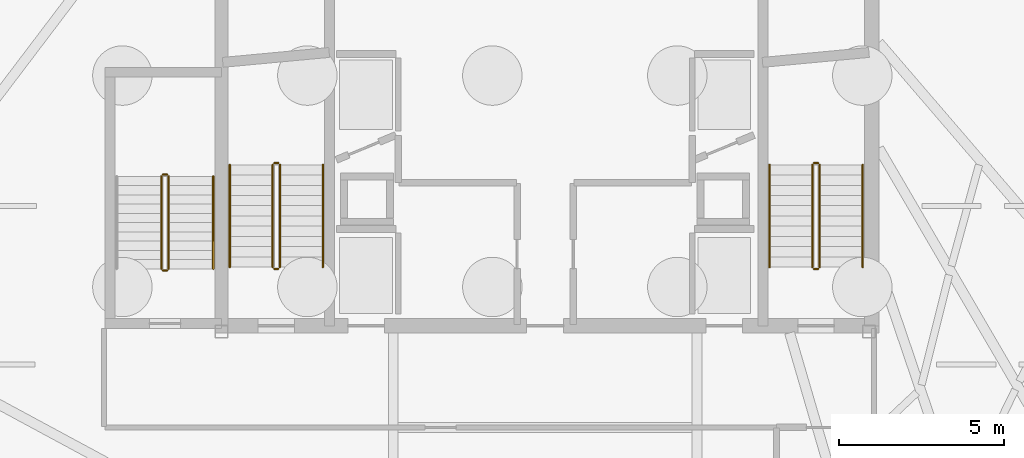
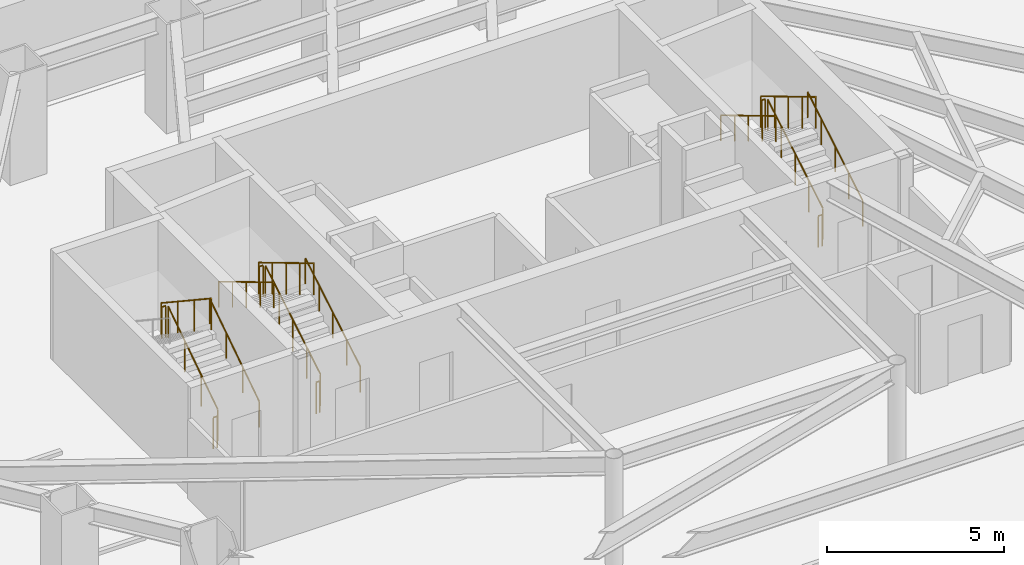
# One storey, part 17 of 19: 17 railings.
"""IFC4 building model written with IfcOpenShell, lengths in metres."""

from ifc_helpers import new_model, si_unit, direction, frame, origin, origin_2d, place, context, subcontext, project, spatial, circle, extrude, material, type_object, element, save


model = new_model("IFC4")

# Units and contexts
model_context = context("Model", 3, precision=1e-05, world=origin(), true_north=direction((0.0, 1.0)))
body_context = subcontext(model_context, "Body", "Model", "MODEL_VIEW")
ifc_project = project(units=[si_unit("LENGTHUNIT", "METRE"), si_unit("AREAUNIT", "SQUARE_METRE"), si_unit("VOLUMEUNIT", "CUBIC_METRE"), si_unit("PLANEANGLEUNIT", "RADIAN"), si_unit("MASSUNIT", "GRAM", prefix="KILO")], contexts=[model_context])

# Site, building, storey
site_placement = place(None, origin())
site = spatial("IfcSite", under=ifc_project, at=site_placement, CompositionType="ELEMENT")
building_placement = place(site_placement, origin())
building = spatial("IfcBuilding", under=site, at=building_placement, Name="Zarrinselat Tower", CompositionType="ELEMENT")
storey_placement = place(building_placement, frame((0.0, 0.0, -8.159912109375)))
storey = spatial("IfcBuildingStorey", under=building, at=storey_placement, Name="B02", CompositionType="ELEMENT", Elevation=-8.159912109375)

# Railings
ifc_material_1 = material(Name="Steel S355J2", Category="steel")
railing_type_1 = type_object("IfcRailingType", Name="RLG-STAIR-GUARD", PredefinedType="GUARDRAIL", material=ifc_material_1)
railing_1_placement = place(storey_placement, frame((30.3701171875, 35.0, 0.185302734375)))
element("IfcRailing", 1, at=railing_1_placement, inside=storey, type_object=railing_type_1, Name="B02 ST-1 stair guard 1", PredefinedType="GUARDRAIL", context=body_context, shape_type="SweptSolid", body=[
    extrude(circle(Radius=0.02392578125, at=origin_2d()), frame((0.0, 0.0, 1.076171875), z_axis=(0.0, 0.858171985069, 0.513362293163), x_axis=(-1.0, 0.0, 0.0)), (0.0, 0.0, 1.0), 3.612548828125),
    extrude(circle(Radius=0.02099609375, at=origin_2d()), origin(), (0.0, 0.0, 1.0), 1.050048828125),
    extrude(circle(Radius=0.02099609375, at=origin_2d()), frame((0.0, 0.77490234375, 0.463623046875)), (0.0, 0.0, 1.0), 1.050048828125),
    extrude(circle(Radius=0.02099609375, at=origin_2d()), frame((0.0, 1.550048828125, 0.92724609375)), (0.0, 0.0, 1.0), 1.050048828125),
    extrude(circle(Radius=0.02099609375, at=origin_2d()), frame((0.0, 2.3251953125, 1.390869140625)), (0.0, 0.0, 1.0), 1.050048828125),
    extrude(circle(Radius=0.02099609375, at=origin_2d()), frame((0.0, 3.10009765625, 1.8544921875)), (0.0, 0.0, 1.0), 1.050048828125),
])
railing_2_placement = place(storey_placement, frame((30.320068359375, 38.14990234375, 2.039794921875)))
element("IfcRailing", 2, at=railing_2_placement, inside=storey, type_object=railing_type_1, Name="B02 ST-1 stair guard 2", PredefinedType="GUARDRAIL", context=body_context, shape_type="SweptSolid", body=[
    extrude(circle(Radius=0.02392578125, at=origin_2d()), frame((0.0, 0.0, 1.076171875), z_axis=(-1.0, 0.0, 0.0), x_axis=(0.0, -1.0, 0.0)), (0.0, 0.0, 1.0), 0.1201171875),
    extrude(circle(Radius=0.02099609375, at=origin_2d()), origin(), (0.0, 0.0, 1.0), 1.050048828125),
    extrude(circle(Radius=0.02099609375, at=origin_2d()), frame((-0.1201171875, 0.0, 0.0)), (0.0, 0.0, 1.0), 1.050048828125),
])
railing_3_placement = place(storey_placement, frame((30.14990234375, 38.10009765625, 2.225341796875)))
element("IfcRailing", 3, at=railing_3_placement, inside=storey, type_object=railing_type_1, Name="B02 ST-1 stair guard 3", PredefinedType="GUARDRAIL", context=body_context, shape_type="SweptSolid", body=[
    extrude(circle(Radius=0.02392578125, at=origin_2d()), frame((0.0, 0.0, 1.076171875), z_axis=(0.0, -0.858171985069, 0.513362293163), x_axis=(1.0, 0.0, 0.0)), (0.0, 0.0, 1.0), 3.612548828125),
    extrude(circle(Radius=0.02099609375, at=origin_2d()), origin(), (0.0, 0.0, 1.0), 1.050048828125),
    extrude(circle(Radius=0.02099609375, at=origin_2d()), frame((0.0, -0.77490234375, 0.463623046875)), (0.0, 0.0, 1.0), 1.050048828125),
    extrude(circle(Radius=0.02099609375, at=origin_2d()), frame((0.0, -1.550048828125, 0.92724609375)), (0.0, 0.0, 1.0), 1.050048828125),
    extrude(circle(Radius=0.02099609375, at=origin_2d()), frame((0.0, -2.3251953125, 1.390869140625)), (0.0, 0.0, 1.0), 1.050048828125),
    extrude(circle(Radius=0.02099609375, at=origin_2d()), frame((0.0, -3.10009765625, 1.8544921875)), (0.0, 0.0, 1.0), 1.050048828125),
])
railing_4_placement = place(storey_placement, frame((30.320068359375, 34.949951171875, 0.0)))
element("IfcRailing", 4, at=railing_4_placement, inside=storey, type_object=railing_type_1, Name="B02 ST-1 stair guard 4", PredefinedType="GUARDRAIL", context=body_context, shape_type="SweptSolid", body=[
    extrude(circle(Radius=0.02392578125, at=origin_2d()), frame((0.0, 0.0, 1.076171875), z_axis=(-1.0, 0.0, 0.0), x_axis=(0.0, -1.0, 0.0)), (0.0, 0.0, 1.0), 0.1201171875),
    extrude(circle(Radius=0.02099609375, at=origin_2d()), origin(), (0.0, 0.0, 1.0), 1.050048828125),
    extrude(circle(Radius=0.02099609375, at=origin_2d()), frame((-0.1201171875, 0.0, 0.0)), (0.0, 0.0, 1.0), 1.050048828125),
])
railing_5_placement = place(storey_placement, frame((46.7099609375, 35.0, 0.185302734375)))
element("IfcRailing", 5, at=railing_5_placement, inside=storey, type_object=railing_type_1, Name="B02 ST-2 stair guard 1", PredefinedType="GUARDRAIL", context=body_context, shape_type="SweptSolid", body=[
    extrude(circle(Radius=0.02392578125, at=origin_2d()), frame((0.0, 0.0, 1.076171875), z_axis=(0.0, 0.858171985069, 0.513362293163), x_axis=(-1.0, 0.0, 0.0)), (0.0, 0.0, 1.0), 3.612548828125),
    extrude(circle(Radius=0.02099609375, at=origin_2d()), origin(), (0.0, 0.0, 1.0), 1.050048828125),
    extrude(circle(Radius=0.02099609375, at=origin_2d()), frame((0.0, 0.77490234375, 0.463623046875)), (0.0, 0.0, 1.0), 1.050048828125),
    extrude(circle(Radius=0.02099609375, at=origin_2d()), frame((0.0, 1.550048828125, 0.92724609375)), (0.0, 0.0, 1.0), 1.050048828125),
    extrude(circle(Radius=0.02099609375, at=origin_2d()), frame((0.0, 2.3251953125, 1.390869140625)), (0.0, 0.0, 1.0), 1.050048828125),
    extrude(circle(Radius=0.02099609375, at=origin_2d()), frame((0.0, 3.10009765625, 1.8544921875)), (0.0, 0.0, 1.0), 1.050048828125),
])
railing_6_placement = place(storey_placement, frame((46.659912109375, 38.14990234375, 2.039794921875)))
element("IfcRailing", 6, at=railing_6_placement, inside=storey, type_object=railing_type_1, Name="B02 ST-2 stair guard 2", PredefinedType="GUARDRAIL", context=body_context, shape_type="SweptSolid", body=[
    extrude(circle(Radius=0.02392578125, at=origin_2d()), frame((0.0, 0.0, 1.076171875), z_axis=(-1.0, 0.0, 0.0), x_axis=(0.0, -1.0, 0.0)), (0.0, 0.0, 1.0), 0.119873046875),
    extrude(circle(Radius=0.02099609375, at=origin_2d()), origin(), (0.0, 0.0, 1.0), 1.050048828125),
    extrude(circle(Radius=0.02099609375, at=origin_2d()), frame((-0.119873046875, 0.0, 0.0)), (0.0, 0.0, 1.0), 1.050048828125),
])
railing_7_placement = place(storey_placement, frame((46.489990234375, 38.10009765625, 2.225341796875)))
element("IfcRailing", 7, at=railing_7_placement, inside=storey, type_object=railing_type_1, Name="B02 ST-2 stair guard 3", PredefinedType="GUARDRAIL", context=body_context, shape_type="SweptSolid", body=[
    extrude(circle(Radius=0.02392578125, at=origin_2d()), frame((0.0, 0.0, 1.076171875), z_axis=(0.0, -0.858171985069, 0.513362293163), x_axis=(1.0, 0.0, 0.0)), (0.0, 0.0, 1.0), 3.612548828125),
    extrude(circle(Radius=0.02099609375, at=origin_2d()), origin(), (0.0, 0.0, 1.0), 1.050048828125),
    extrude(circle(Radius=0.02099609375, at=origin_2d()), frame((0.0, -0.77490234375, 0.463623046875)), (0.0, 0.0, 1.0), 1.050048828125),
    extrude(circle(Radius=0.02099609375, at=origin_2d()), frame((0.0, -1.550048828125, 0.92724609375)), (0.0, 0.0, 1.0), 1.050048828125),
    extrude(circle(Radius=0.02099609375, at=origin_2d()), frame((0.0, -2.3251953125, 1.390869140625)), (0.0, 0.0, 1.0), 1.050048828125),
    extrude(circle(Radius=0.02099609375, at=origin_2d()), frame((0.0, -3.10009765625, 1.8544921875)), (0.0, 0.0, 1.0), 1.050048828125),
])
railing_8_placement = place(storey_placement, frame((46.659912109375, 34.949951171875, 0.0)))
element("IfcRailing", 8, at=railing_8_placement, inside=storey, type_object=railing_type_1, Name="B02 ST-2 stair guard 4", PredefinedType="GUARDRAIL", context=body_context, shape_type="SweptSolid", body=[
    extrude(circle(Radius=0.02392578125, at=origin_2d()), frame((0.0, 0.0, 1.076171875), z_axis=(-1.0, 0.0, 0.0), x_axis=(0.0, -1.0, 0.0)), (0.0, 0.0, 1.0), 0.119873046875),
    extrude(circle(Radius=0.02099609375, at=origin_2d()), origin(), (0.0, 0.0, 1.0), 1.050048828125),
    extrude(circle(Radius=0.02099609375, at=origin_2d()), frame((-0.119873046875, 0.0, 0.0)), (0.0, 0.0, 1.0), 1.050048828125),
])
railing_9_placement = place(storey_placement, frame((27.0, 34.949951171875, 0.185302734375)))
element("IfcRailing", 9, at=railing_9_placement, inside=storey, type_object=railing_type_1, Name="B02 ST-3 stair guard 1", PredefinedType="GUARDRAIL", context=body_context, shape_type="SweptSolid", body=[
    extrude(circle(Radius=0.02392578125, at=origin_2d()), frame((0.0, 0.0, 1.076171875), z_axis=(0.0, 0.833724036255, 0.552181339209), x_axis=(-1.0, 0.0, 0.0)), (0.0, 0.0, 1.0), 3.3583984375),
    extrude(circle(Radius=0.02099609375, at=origin_2d()), origin(), (0.0, 0.0, 1.0), 1.050048828125),
    extrude(circle(Radius=0.02099609375, at=origin_2d()), frame((0.0, 0.933349609375, 0.6181640625)), (0.0, 0.0, 1.0), 1.050048828125),
    extrude(circle(Radius=0.02099609375, at=origin_2d()), frame((0.0, 1.86669921875, 1.236328125)), (0.0, 0.0, 1.0), 1.050048828125),
    extrude(circle(Radius=0.02099609375, at=origin_2d()), frame((0.0, 2.800048828125, 1.8544921875)), (0.0, 0.0, 1.0), 1.050048828125),
])
railing_10_placement = place(storey_placement, frame((26.949951171875, 37.800048828125, 2.039794921875)))
element("IfcRailing", 10, at=railing_10_placement, inside=storey, type_object=railing_type_1, Name="B02 ST-3 stair guard 2", PredefinedType="GUARDRAIL", context=body_context, shape_type="SweptSolid", body=[
    extrude(circle(Radius=0.02392578125, at=origin_2d()), frame((0.0, 0.0, 1.076171875), z_axis=(-1.0, 0.0, 0.0), x_axis=(0.0, -1.0, 0.0)), (0.0, 0.0, 1.0), 0.119873046875),
    extrude(circle(Radius=0.02099609375, at=origin_2d()), origin(), (0.0, 0.0, 1.0), 1.050048828125),
    extrude(circle(Radius=0.02099609375, at=origin_2d()), frame((-0.119873046875, 0.0, 0.0)), (0.0, 0.0, 1.0), 1.050048828125),
])
railing_11_placement = place(storey_placement, frame((26.780029296875, 37.75, 2.225341796875)))
element("IfcRailing", 11, at=railing_11_placement, inside=storey, type_object=railing_type_1, Name="B02 ST-3 stair guard 3", PredefinedType="GUARDRAIL", context=body_context, shape_type="SweptSolid", body=[
    extrude(circle(Radius=0.02392578125, at=origin_2d()), frame((0.0, 0.0, 1.076171875), z_axis=(0.0, -0.833724036255, 0.552181339209), x_axis=(1.0, 0.0, 0.0)), (0.0, 0.0, 1.0), 3.3583984375),
    extrude(circle(Radius=0.02099609375, at=origin_2d()), origin(), (0.0, 0.0, 1.0), 1.050048828125),
    extrude(circle(Radius=0.02099609375, at=origin_2d()), frame((0.0, -0.933349609375, 0.6181640625)), (0.0, 0.0, 1.0), 1.050048828125),
    extrude(circle(Radius=0.02099609375, at=origin_2d()), frame((0.0, -1.86669921875, 1.236328125)), (0.0, 0.0, 1.0), 1.050048828125),
    extrude(circle(Radius=0.02099609375, at=origin_2d()), frame((0.0, -2.800048828125, 1.8544921875)), (0.0, 0.0, 1.0), 1.050048828125),
])
railing_12_placement = place(storey_placement, frame((26.949951171875, 34.89990234375, 0.0)))
element("IfcRailing", 12, at=railing_12_placement, inside=storey, type_object=railing_type_1, Name="B02 ST-3 stair guard 4", PredefinedType="GUARDRAIL", context=body_context, shape_type="SweptSolid", body=[
    extrude(circle(Radius=0.02392578125, at=origin_2d()), frame((0.0, 0.0, 1.076171875), z_axis=(-1.0, 0.0, 0.0), x_axis=(0.0, -1.0, 0.0)), (0.0, 0.0, 1.0), 0.119873046875),
    extrude(circle(Radius=0.02099609375, at=origin_2d()), origin(), (0.0, 0.0, 1.0), 1.050048828125),
    extrude(circle(Radius=0.02099609375, at=origin_2d()), frame((-0.119873046875, 0.0, 0.0)), (0.0, 0.0, 1.0), 1.050048828125),
])
ifc_material_2 = material(Name="Steel S355J2", Category="steel")
railing_type_2 = type_object("IfcRailingType", Name="RLG-STAIR-HAND", PredefinedType="HANDRAIL", material=ifc_material_2)
railing_13_placement = place(storey_placement, frame((31.669921875, 35.0, 0.185302734375)))
element("IfcRailing", 13, at=railing_13_placement, inside=storey, type_object=railing_type_2, Name="B02 ST-1 stair handrail 1", PredefinedType="HANDRAIL", context=body_context, shape_type="SweptSolid", body=[
    extrude(circle(Radius=0.02392578125, at=origin_2d()), frame((0.0, 0.0, 0.8759765625), z_axis=(0.0, 0.858171985069, 0.513362293163), x_axis=(-1.0, 0.0, 0.0)), (0.0, 0.0, 1.0), 3.612548828125),
    extrude(circle(Radius=0.02099609375, at=origin_2d()), origin(), (0.0, 0.0, 1.0), 0.849853515625),
    extrude(circle(Radius=0.02099609375, at=origin_2d()), frame((0.0, 0.77490234375, 0.463623046875)), (0.0, 0.0, 1.0), 0.849853515625),
    extrude(circle(Radius=0.02099609375, at=origin_2d()), frame((0.0, 1.550048828125, 0.92724609375)), (0.0, 0.0, 1.0), 0.849853515625),
    extrude(circle(Radius=0.02099609375, at=origin_2d()), frame((0.0, 2.3251953125, 1.390869140625)), (0.0, 0.0, 1.0), 0.849853515625),
    extrude(circle(Radius=0.02099609375, at=origin_2d()), frame((0.0, 3.10009765625, 1.8544921875)), (0.0, 0.0, 1.0), 0.849853515625),
])
railing_14_placement = place(storey_placement, frame((28.85009765625, 38.10009765625, 2.225341796875)))
element("IfcRailing", 14, at=railing_14_placement, inside=storey, type_object=railing_type_2, Name="B02 ST-1 stair handrail 2", PredefinedType="HANDRAIL", context=body_context, shape_type="SweptSolid", body=[
    extrude(circle(Radius=0.02392578125, at=origin_2d()), frame((0.0, 0.0, 0.8759765625), z_axis=(0.0, -0.858171985069, 0.513362293163), x_axis=(1.0, 0.0, 0.0)), (0.0, 0.0, 1.0), 3.612548828125),
    extrude(circle(Radius=0.02099609375, at=origin_2d()), origin(), (0.0, 0.0, 1.0), 0.849853515625),
    extrude(circle(Radius=0.02099609375, at=origin_2d()), frame((0.0, -0.77490234375, 0.463623046875)), (0.0, 0.0, 1.0), 0.849853515625),
    extrude(circle(Radius=0.02099609375, at=origin_2d()), frame((0.0, -1.550048828125, 0.92724609375)), (0.0, 0.0, 1.0), 0.849853515625),
    extrude(circle(Radius=0.02099609375, at=origin_2d()), frame((0.0, -2.3251953125, 1.390869140625)), (0.0, 0.0, 1.0), 0.849853515625),
    extrude(circle(Radius=0.02099609375, at=origin_2d()), frame((0.0, -3.10009765625, 1.8544921875)), (0.0, 0.0, 1.0), 0.849853515625),
])
railing_15_placement = place(storey_placement, frame((48.010009765625, 35.0, 0.185302734375)))
element("IfcRailing", 15, at=railing_15_placement, inside=storey, type_object=railing_type_2, Name="B02 ST-2 stair handrail 1", PredefinedType="HANDRAIL", context=body_context, shape_type="SweptSolid", body=[
    extrude(circle(Radius=0.02392578125, at=origin_2d()), frame((0.0, 0.0, 0.8759765625), z_axis=(0.0, 0.858171985069, 0.513362293163), x_axis=(-1.0, 0.0, 0.0)), (0.0, 0.0, 1.0), 3.612548828125),
    extrude(circle(Radius=0.02099609375, at=origin_2d()), origin(), (0.0, 0.0, 1.0), 0.849853515625),
    extrude(circle(Radius=0.02099609375, at=origin_2d()), frame((0.0, 0.77490234375, 0.463623046875)), (0.0, 0.0, 1.0), 0.849853515625),
    extrude(circle(Radius=0.02099609375, at=origin_2d()), frame((0.0, 1.550048828125, 0.92724609375)), (0.0, 0.0, 1.0), 0.849853515625),
    extrude(circle(Radius=0.02099609375, at=origin_2d()), frame((0.0, 2.3251953125, 1.390869140625)), (0.0, 0.0, 1.0), 0.849853515625),
    extrude(circle(Radius=0.02099609375, at=origin_2d()), frame((0.0, 3.10009765625, 1.8544921875)), (0.0, 0.0, 1.0), 0.849853515625),
])
railing_16_placement = place(storey_placement, frame((45.18994140625, 38.10009765625, 2.225341796875)))
element("IfcRailing", 16, at=railing_16_placement, inside=storey, type_object=railing_type_2, Name="B02 ST-2 stair handrail 2", PredefinedType="HANDRAIL", context=body_context, shape_type="SweptSolid", body=[
    extrude(circle(Radius=0.02392578125, at=origin_2d()), frame((0.0, 0.0, 0.8759765625), z_axis=(0.0, -0.858171985069, 0.513362293163), x_axis=(1.0, 0.0, 0.0)), (0.0, 0.0, 1.0), 3.612548828125),
    extrude(circle(Radius=0.02099609375, at=origin_2d()), origin(), (0.0, 0.0, 1.0), 0.849853515625),
    extrude(circle(Radius=0.02099609375, at=origin_2d()), frame((0.0, -0.77490234375, 0.463623046875)), (0.0, 0.0, 1.0), 0.849853515625),
    extrude(circle(Radius=0.02099609375, at=origin_2d()), frame((0.0, -1.550048828125, 0.92724609375)), (0.0, 0.0, 1.0), 0.849853515625),
    extrude(circle(Radius=0.02099609375, at=origin_2d()), frame((0.0, -2.3251953125, 1.390869140625)), (0.0, 0.0, 1.0), 0.849853515625),
    extrude(circle(Radius=0.02099609375, at=origin_2d()), frame((0.0, -3.10009765625, 1.8544921875)), (0.0, 0.0, 1.0), 0.849853515625),
])
railing_17_placement = place(storey_placement, frame((28.35009765625, 34.949951171875, 0.185302734375)))
element("IfcRailing", 17, at=railing_17_placement, inside=storey, type_object=railing_type_2, Name="B02 ST-3 stair handrail 1", PredefinedType="HANDRAIL", context=body_context, shape_type="SweptSolid", body=[
    extrude(circle(Radius=0.02392578125, at=origin_2d()), frame((0.0, 0.0, 0.8759765625), z_axis=(0.0, 0.833724036255, 0.552181339209), x_axis=(-1.0, 0.0, 0.0)), (0.0, 0.0, 1.0), 3.3583984375),
    extrude(circle(Radius=0.02099609375, at=origin_2d()), origin(), (0.0, 0.0, 1.0), 0.849853515625),
    extrude(circle(Radius=0.02099609375, at=origin_2d()), frame((0.0, 0.933349609375, 0.6181640625)), (0.0, 0.0, 1.0), 0.849853515625),
    extrude(circle(Radius=0.02099609375, at=origin_2d()), frame((0.0, 1.86669921875, 1.236328125)), (0.0, 0.0, 1.0), 0.849853515625),
    extrude(circle(Radius=0.02099609375, at=origin_2d()), frame((0.0, 2.800048828125, 1.8544921875)), (0.0, 0.0, 1.0), 0.849853515625),
])

save(model, "model.ifc")
